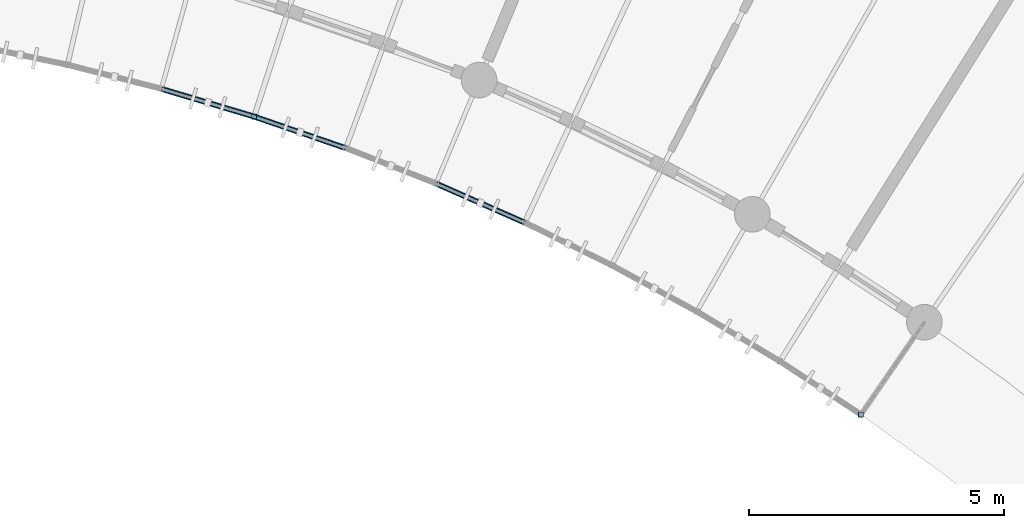
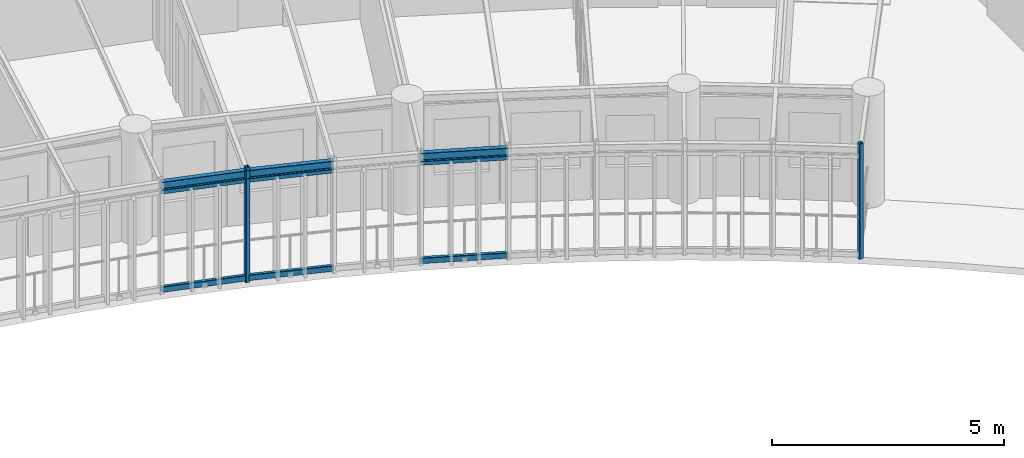
# One storey, part 36 of 100: 8 members, 3 beams.
"""IFC4 building model written with IfcOpenShell, lengths in metres."""

from ifc_helpers import new_model, si_unit, direction, frame, origin, origin_2d, place, context, subcontext, project, spatial, hollow_rectangle, i_section, extrude, material, material_profile, profile_set, type_object, element, save


model = new_model("IFC4")

# Units and contexts
model_context = context("Model", 3, precision=1e-05, world=origin(), true_north=direction((0.0, 1.0)))
body_context = subcontext(model_context, "Body", "Model", "MODEL_VIEW")
ifc_project = project(units=[si_unit("LENGTHUNIT", "METRE"), si_unit("AREAUNIT", "SQUARE_METRE"), si_unit("VOLUMEUNIT", "CUBIC_METRE"), si_unit("PLANEANGLEUNIT", "RADIAN"), si_unit("MASSUNIT", "GRAM", prefix="KILO"), si_unit("POWERUNIT", "WATT"), si_unit("THERMODYNAMICTEMPERATUREUNIT", "KELVIN")], contexts=[model_context])

# Site, building, storey
site_placement = place(None, origin())
site = spatial("IfcSite", under=ifc_project, at=site_placement, CompositionType="ELEMENT")
building_placement = place(site_placement, origin())
building = spatial("IfcBuilding", under=site, at=building_placement, Name="Ruvembo Vaulted Housing Court", CompositionType="ELEMENT")
storey_placement = place(building_placement, frame((0.0, 0.0, 10.89990234375)))
storey = spatial("IfcBuildingStorey", under=building, at=storey_placement, Name="L03", CompositionType="ELEMENT", Elevation=10.89990234375)

# Beams
ifc_material = material(Name="Steel S355J2", Category="steel")
ifc_material_profile_1 = material_profile(ifc_material, i_section(OverallWidth=0.110107421875, OverallDepth=0.219970703125, WebThickness=0.005859375, FlangeThickness=0.00927734375, FilletRadius=0.011962890625, at=origin_2d()), Name="IPE 220")
ifc_profile_set_1 = profile_set([ifc_material_profile_1], Name="Steel S355J2")
beam_type = type_object("IfcBeamType", Name="BM-ST-IPE220", PredefinedType="SPANDREL", material=ifc_profile_set_1)
beam_1_placement = place(storey_placement, frame((129.208251953125, 94.142822265625, 2.830078125), z_axis=(0.958108609181, -0.286405120439, 0.0), x_axis=(0.286405120439, 0.958108609181, 0.0)))
element("IfcBeam", 1, at=beam_1_placement, inside=storey, type_object=beam_type, Name="Scoop SC3 L03 Balcony Edge Spandrel 21", PredefinedType="SPANDREL", context=body_context, shape_type="SweptSolid", body=[
    extrude(i_section(OverallWidth=0.110107421875, OverallDepth=0.219970703125, WebThickness=0.005859375, FlangeThickness=0.00927734375, FilletRadius=0.011962890625, at=origin_2d()), origin(), (0.0, 0.0, 1.0), 1.90087890625),
])
beam_2_placement = place(storey_placement, frame((131.029541015625, 93.598388671875, 2.830078125), z_axis=(0.945357969834, -0.326034214264, 0.0), x_axis=(0.326034214264, 0.945357969834, 0.0)))
element("IfcBeam", 2, at=beam_2_placement, inside=storey, type_object=beam_type, Name="Scoop SC3 L03 Balcony Edge Spandrel 22", PredefinedType="SPANDREL", context=body_context, shape_type="SweptSolid", body=[
    extrude(i_section(OverallWidth=0.110107421875, OverallDepth=0.219970703125, WebThickness=0.005859375, FlangeThickness=0.00927734375, FilletRadius=0.011962890625, at=origin_2d()), origin(), (0.0, 0.0, 1.0), 1.9013671875),
])
beam_3_placement = place(storey_placement, frame((134.5966796875, 92.28466796875, 2.830078125), z_axis=(0.91507815309, -0.403276547467, 0.0), x_axis=(0.403276547467, 0.91507815309, 0.0)))
element("IfcBeam", 3, at=beam_3_placement, inside=storey, type_object=beam_type, Name="Scoop SC3 L03 Balcony Edge Spandrel 24", PredefinedType="SPANDREL", context=body_context, shape_type="SweptSolid", body=[
    extrude(i_section(OverallWidth=0.110107421875, OverallDepth=0.219970703125, WebThickness=0.005859375, FlangeThickness=0.00927734375, FilletRadius=0.011962890625, at=origin_2d()), origin(), (0.0, 0.0, 1.0), 1.90087890625),
])

# Members
ifc_material_profile_2 = material_profile(ifc_material, hollow_rectangle(XDim=0.06005859375, YDim=0.1201171875, WallThickness=0.0048828125, InnerFilletRadius=0.0048828125, OuterFilletRadius=0.010009765625, at=origin_2d()), Name="RHS 120x60x5")
ifc_profile_set_2 = profile_set([ifc_material_profile_2], Name="Steel S355J2")
member_type_1 = type_object("IfcMemberType", Name="MEM-CAR-RHS120", PredefinedType="CHORD", material=ifc_profile_set_2)
member_1_placement = place(storey_placement, frame((129.208251953125, 94.142822265625, 2.6630859375), z_axis=(0.958108609181, -0.286405120439, 0.0), x_axis=(0.286405120439, 0.958108609181, 0.0)))
element("IfcMember", 4, at=member_1_placement, inside=storey, type_object=member_type_1, Name="Scoop SC3 L03 Upper Louvre Carrier Rail 21", PredefinedType="CHORD", context=body_context, shape_type="SweptSolid", body=[
    extrude(hollow_rectangle(XDim=0.06005859375, YDim=0.1201171875, WallThickness=0.0048828125, InnerFilletRadius=0.0048828125, OuterFilletRadius=0.010009765625, at=origin_2d()), origin(), (0.0, 0.0, 1.0), 1.90087890625),
])
member_2_placement = place(storey_placement, frame((131.029541015625, 93.598388671875, 2.6630859375), z_axis=(0.945357969834, -0.326034214264, 0.0), x_axis=(0.326034214264, 0.945357969834, 0.0)))
element("IfcMember", 5, at=member_2_placement, inside=storey, type_object=member_type_1, Name="Scoop SC3 L03 Upper Louvre Carrier Rail 22", PredefinedType="CHORD", context=body_context, shape_type="SweptSolid", body=[
    extrude(hollow_rectangle(XDim=0.06005859375, YDim=0.1201171875, WallThickness=0.0048828125, InnerFilletRadius=0.0048828125, OuterFilletRadius=0.010009765625, at=origin_2d()), origin(), (0.0, 0.0, 1.0), 1.9013671875),
])
member_3_placement = place(storey_placement, frame((134.5966796875, 92.28466796875, 2.6630859375), z_axis=(0.91507815309, -0.403276547467, 0.0), x_axis=(0.403276547467, 0.91507815309, 0.0)))
element("IfcMember", 6, at=member_3_placement, inside=storey, type_object=member_type_1, Name="Scoop SC3 L03 Upper Louvre Carrier Rail 24", PredefinedType="CHORD", context=body_context, shape_type="SweptSolid", body=[
    extrude(hollow_rectangle(XDim=0.06005859375, YDim=0.1201171875, WallThickness=0.0048828125, InnerFilletRadius=0.0048828125, OuterFilletRadius=0.010009765625, at=origin_2d()), origin(), (0.0, 0.0, 1.0), 1.90087890625),
])
ifc_material_profile_3 = material_profile(ifc_material, hollow_rectangle(XDim=0.080078125, YDim=0.14990234375, WallThickness=0.00634765625, InnerFilletRadius=0.00634765625, OuterFilletRadius=0.0126953125, at=origin_2d()), Name="RHS 150x80x6.3")
ifc_profile_set_3 = profile_set([ifc_material_profile_3], Name="Steel S355J2")
member_type_2 = type_object("IfcMemberType", Name="MEM-CAR-RHS150", PredefinedType="CHORD", material=ifc_profile_set_3)
member_4_placement = place(storey_placement, frame((129.208251953125, 94.142822265625, 0.09521484375), z_axis=(0.958108609181, -0.286405120439, 0.0), x_axis=(0.286405120439, 0.958108609181, 0.0)))
element("IfcMember", 7, at=member_4_placement, inside=storey, type_object=member_type_2, Name="Scoop SC3 L03 Lower Louvre Carrier Rail 21", PredefinedType="CHORD", context=body_context, shape_type="SweptSolid", body=[
    extrude(hollow_rectangle(XDim=0.080078125, YDim=0.14990234375, WallThickness=0.00634765625, InnerFilletRadius=0.00634765625, OuterFilletRadius=0.0126953125, at=origin_2d()), origin(), (0.0, 0.0, 1.0), 1.90087890625),
])
member_5_placement = place(storey_placement, frame((131.029541015625, 93.598388671875, 0.09521484375), z_axis=(0.945357969834, -0.326034214264, 0.0), x_axis=(0.326034214264, 0.945357969834, 0.0)))
element("IfcMember", 8, at=member_5_placement, inside=storey, type_object=member_type_2, Name="Scoop SC3 L03 Lower Louvre Carrier Rail 22", PredefinedType="CHORD", context=body_context, shape_type="SweptSolid", body=[
    extrude(hollow_rectangle(XDim=0.080078125, YDim=0.14990234375, WallThickness=0.00634765625, InnerFilletRadius=0.00634765625, OuterFilletRadius=0.0126953125, at=origin_2d()), origin(), (0.0, 0.0, 1.0), 1.9013671875),
])
member_6_placement = place(storey_placement, frame((134.5966796875, 92.28466796875, 0.09521484375), z_axis=(0.91507815309, -0.403276547467, 0.0), x_axis=(0.403276547467, 0.91507815309, 0.0)))
element("IfcMember", 9, at=member_6_placement, inside=storey, type_object=member_type_2, Name="Scoop SC3 L03 Lower Louvre Carrier Rail 24", PredefinedType="CHORD", context=body_context, shape_type="SweptSolid", body=[
    extrude(hollow_rectangle(XDim=0.080078125, YDim=0.14990234375, WallThickness=0.00634765625, InnerFilletRadius=0.00634765625, OuterFilletRadius=0.0126953125, at=origin_2d()), origin(), (0.0, 0.0, 1.0), 1.90087890625),
])
ifc_material_profile_4 = material_profile(ifc_material, hollow_rectangle(XDim=0.10009765625, YDim=0.10009765625, WallThickness=0.00634765625, InnerFilletRadius=0.00634765625, OuterFilletRadius=0.0126953125, at=origin_2d()), Name="SHS 100x100x6.3")
ifc_profile_set_4 = profile_set([ifc_material_profile_4], Name="Steel S355J2")
member_type_3 = type_object("IfcMemberType", Name="MEM-FRM-SHS100", PredefinedType="STRUT", material=ifc_profile_set_4)
for number, where, z_axis, x_axis, name in (
    (10, (131.029541015625, 93.598388671875, -0.014892578125), (0.0, 0.0, 1.0), (1.0, 0.0, 0.0), "Scoop SC3 L03 Louvre Frame Post 22"),
    (11, (142.9326171875, 87.751220703125, -0.014892578125), (0.0, 0.0, 1.0), (1.0, 0.0, 0.0), "Scoop SC3 L03 Louvre End Post"),
):
    element("IfcMember", number, at=place(storey_placement, frame(where, z_axis=z_axis, x_axis=x_axis)), inside=storey, type_object=member_type_3, Name=name, PredefinedType="STRUT", context=body_context, shape_type="SweptSolid", body=[
        extrude(hollow_rectangle(XDim=0.10009765625, YDim=0.10009765625, WallThickness=0.00634765625, InnerFilletRadius=0.00634765625, OuterFilletRadius=0.0126953125, at=origin_2d()), origin(), (0.0, 0.0, 1.0), 3.032958984375),
    ])

save(model, "model.ifc")
